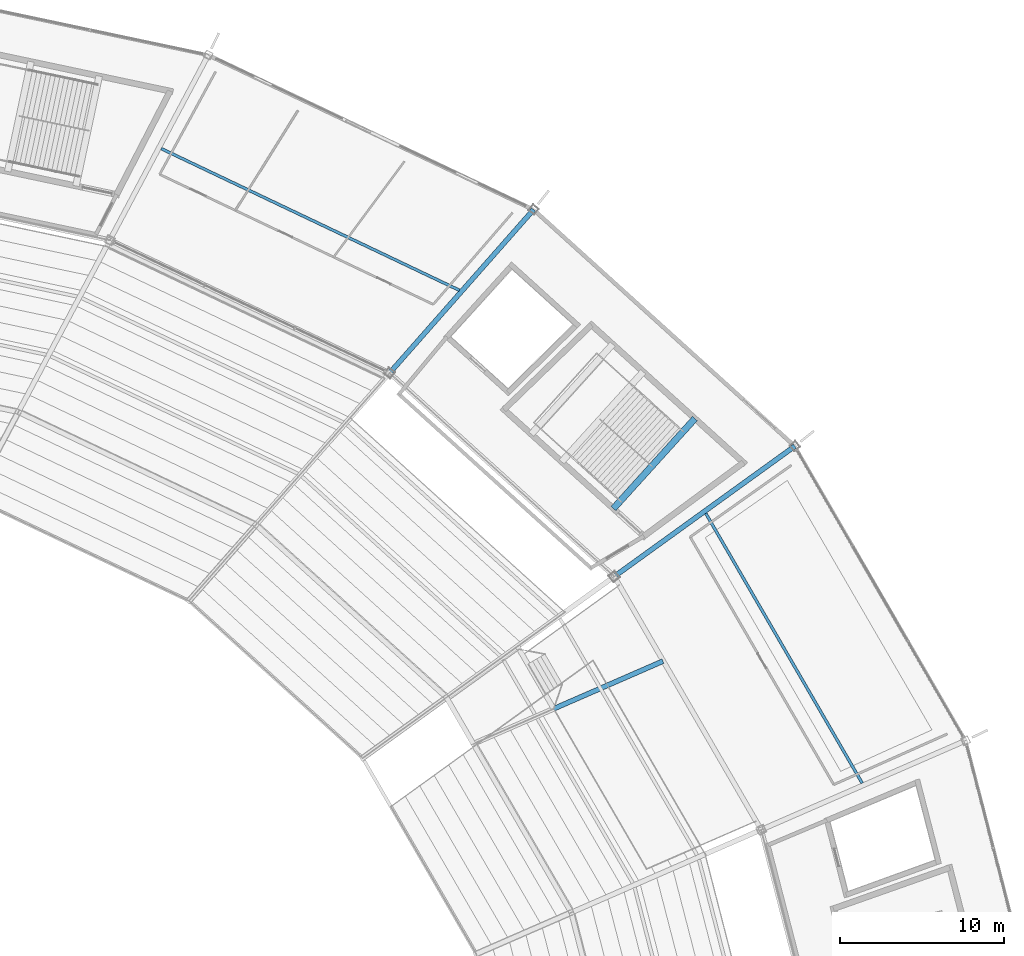
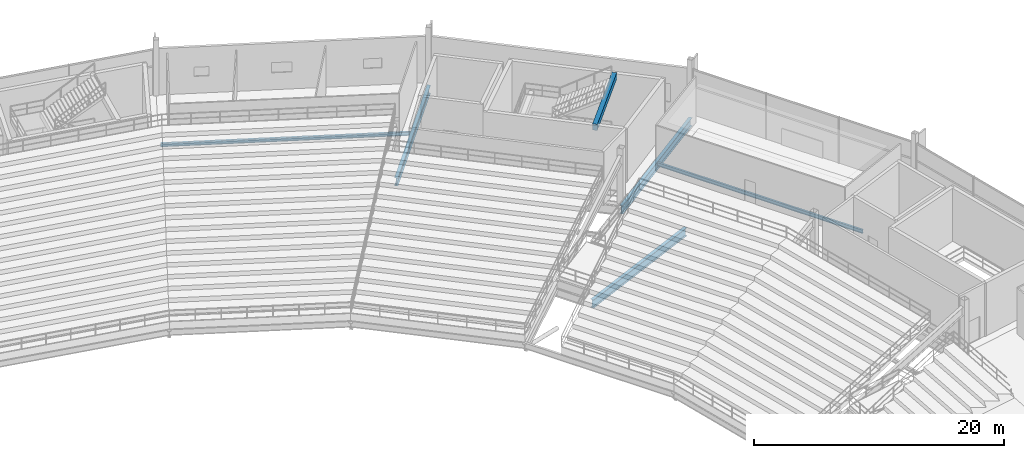
# One storey, part 111 of 186: 6 beams.
"""IFC4 building model written with IfcOpenShell, lengths in metres."""

from ifc_helpers import new_model, si_unit, direction, frame, origin, origin_2d, place, context, subcontext, project, spatial, rectangle, i_section, extrude, material, material_profile, profile_set, type_object, element, save


model = new_model("IFC4")

# Units and contexts
model_context = context("Model", 3, precision=1e-05, world=origin(), true_north=direction((0.0, 1.0)))
body_context = subcontext(model_context, "Body", "Model", "MODEL_VIEW")
ifc_project = project(units=[si_unit("LENGTHUNIT", "METRE"), si_unit("AREAUNIT", "SQUARE_METRE"), si_unit("VOLUMEUNIT", "CUBIC_METRE"), si_unit("PLANEANGLEUNIT", "RADIAN"), si_unit("MASSUNIT", "GRAM", prefix="KILO")], contexts=[model_context])

# Site, building, storey
site_placement = place(None, origin())
site = spatial("IfcSite", under=ifc_project, at=site_placement, CompositionType="ELEMENT")
building_placement = place(site_placement, origin())
building = spatial("IfcBuilding", under=site, at=building_placement, Name="Kazemori Nagisa Stadium", CompositionType="ELEMENT")
storey_placement = place(building_placement, frame((0.0, 0.0, 20.39990234375)))
storey = spatial("IfcBuildingStorey", under=building, at=storey_placement, Name="L04", CompositionType="ELEMENT", Elevation=20.39990234375)

# Beams
ifc_material_1 = material(Name="Steel SN490B", Category="steel")
ifc_material_profile_1 = material_profile(ifc_material_1, i_section(OverallWidth=0.300048828125, OverallDepth=0.800048828125, WebThickness=0.013916015625, FlangeThickness=0.02587890625, FilletRadius=0.01806640625, at=origin_2d()), Name="H-800x300x14x26")
ifc_profile_set_1 = profile_set([ifc_material_profile_1], Name="Steel SN490B")
beam_type_1 = type_object("IfcBeamType", Name="Beam_BG-H800", PredefinedType="BEAM", material=ifc_profile_set_1)
beam_1_placement = place(storey_placement, frame((190.506103515625, 150.734130859375, -0.699951171875), z_axis=(0.810787509935, 0.585340596349, 0.0), x_axis=(-0.585340596349, 0.810787509935, 0.0)))
element("IfcBeam", 1, at=beam_1_placement, inside=storey, type_object=beam_type_1, Name="Radial girder BG-H800 L04 R2-R3-04", PredefinedType="BEAM", context=body_context, shape_type="SweptSolid", body=[
    extrude(i_section(OverallWidth=0.300048828125, OverallDepth=0.800048828125, WebThickness=0.013916015625, FlangeThickness=0.02587890625, FilletRadius=0.01806640625, at=origin_2d()), origin(), (0.0, 0.0, 1.0), 13.5537109375),
])
beam_2_placement = place(storey_placement, frame((176.834228515625, 163.11083984375, -0.699951171875), z_axis=(0.661019680997, 0.750368563664, 0.0), x_axis=(-0.750368563664, 0.661019680997, 0.0)))
element("IfcBeam", 2, at=beam_2_placement, inside=storey, type_object=beam_type_1, Name="Radial girder BG-H800 L04 R2-R3-05", PredefinedType="BEAM", context=body_context, shape_type="SweptSolid", body=[
    extrude(i_section(OverallWidth=0.300048828125, OverallDepth=0.800048828125, WebThickness=0.013916015625, FlangeThickness=0.02587890625, FilletRadius=0.01806640625, at=origin_2d()), origin(), (0.0, 0.0, 1.0), 13.2578125),
])
beam_3_placement = place(storey_placement, frame((181.931884765625, 140.555908203125, -0.699951171875), z_axis=(0.916680113214, 0.399621783738, 0.0), x_axis=(-0.399621783738, 0.916680113214, 0.0)))
element("IfcBeam", 3, at=beam_3_placement, inside=storey, type_object=beam_type_1, Name="Upper vomitory radial carrier girder B03", PredefinedType="BEAM", context=body_context, shape_type="SweptSolid", body=[
    extrude(i_section(OverallWidth=0.300048828125, OverallDepth=0.800048828125, WebThickness=0.013916015625, FlangeThickness=0.02587890625, FilletRadius=0.01806640625, at=origin_2d()), origin(), (0.0, 0.0, 1.0), 12.585693359375),
])
ifc_material_2 = material(Name="Concrete C40/50 (Fc42)", Category="concrete")
ifc_material_profile_2 = material_profile(ifc_material_2, rectangle(XDim=0.39990234375, YDim=0.60009765625, at=origin_2d()), Name="RC-BM-400x600")
ifc_profile_set_2 = profile_set([ifc_material_profile_2], Name="Concrete C40/50 (Fc42)")
beam_type_2 = type_object("IfcBeamType", Name="Beam_BG-LND400X600", PredefinedType="BEAM", material=ifc_profile_set_2)
beam_4_placement = place(storey_placement, frame((190.454345703125, 154.8681640625, 4.880126953125), z_axis=(0.671129682405, 0.741339968837, 0.0), x_axis=(-0.741339968837, 0.671129682405, 0.0)))
element("IfcBeam", 4, at=beam_4_placement, inside=storey, type_object=beam_type_2, Name="Core stair arrival header girder ST01-L04", PredefinedType="BEAM", context=body_context, shape_type="SweptSolid", body=[
    extrude(rectangle(XDim=0.39990234375, YDim=0.60009765625, at=origin_2d()), origin(), (0.0, 0.0, 1.0), 7.3857421875),
])
ifc_material_profile_3 = material_profile(ifc_material_1, i_section(OverallWidth=0.175048828125, OverallDepth=0.35009765625, WebThickness=0.007080078125, FlangeThickness=0.010986328125, FilletRadius=0.012939453125, at=origin_2d()), Name="H-350x175x7x11")
ifc_profile_set_3 = profile_set([ifc_material_profile_3], Name="Steel SN490B")
beam_type_3 = type_object("IfcBeamType", Name="Beam_BJ-H350", PredefinedType="JOIST", material=ifc_profile_set_3)
beam_5_placement = place(storey_placement, frame((205.59033203125, 138.16259765625, -0.474853515625), z_axis=(-0.501615441037, 0.86509071739, 0.0), x_axis=(-0.86509071739, -0.501615441037, 0.0)))
element("IfcBeam", 5, at=beam_5_placement, inside=storey, type_object=beam_type_3, Name="Outer bay joist BJ-H350 L04 B03", PredefinedType="JOIST", context=body_context, shape_type="SweptSolid", body=[
    extrude(i_section(OverallWidth=0.175048828125, OverallDepth=0.35009765625, WebThickness=0.007080078125, FlangeThickness=0.010986328125, FilletRadius=0.012939453125, at=origin_2d()), origin(), (0.0, 0.0, 1.0), 18.972412109375),
])
beam_6_placement = place(storey_placement, frame((181.085205078125, 168.14697265625, -0.474853515625), z_axis=(-0.90321332486, 0.429191903228, 0.0), x_axis=(-0.429191903228, -0.90321332486, 0.0)))
element("IfcBeam", 6, at=beam_6_placement, inside=storey, type_object=beam_type_3, Name="Outer bay joist BJ-H350 L04 B05", PredefinedType="JOIST", context=body_context, shape_type="SweptSolid", body=[
    extrude(i_section(OverallWidth=0.175048828125, OverallDepth=0.35009765625, WebThickness=0.007080078125, FlangeThickness=0.010986328125, FilletRadius=0.012939453125, at=origin_2d()), origin(), (0.0, 0.0, 1.0), 20.09033203125),
])

save(model, "model.ifc")
